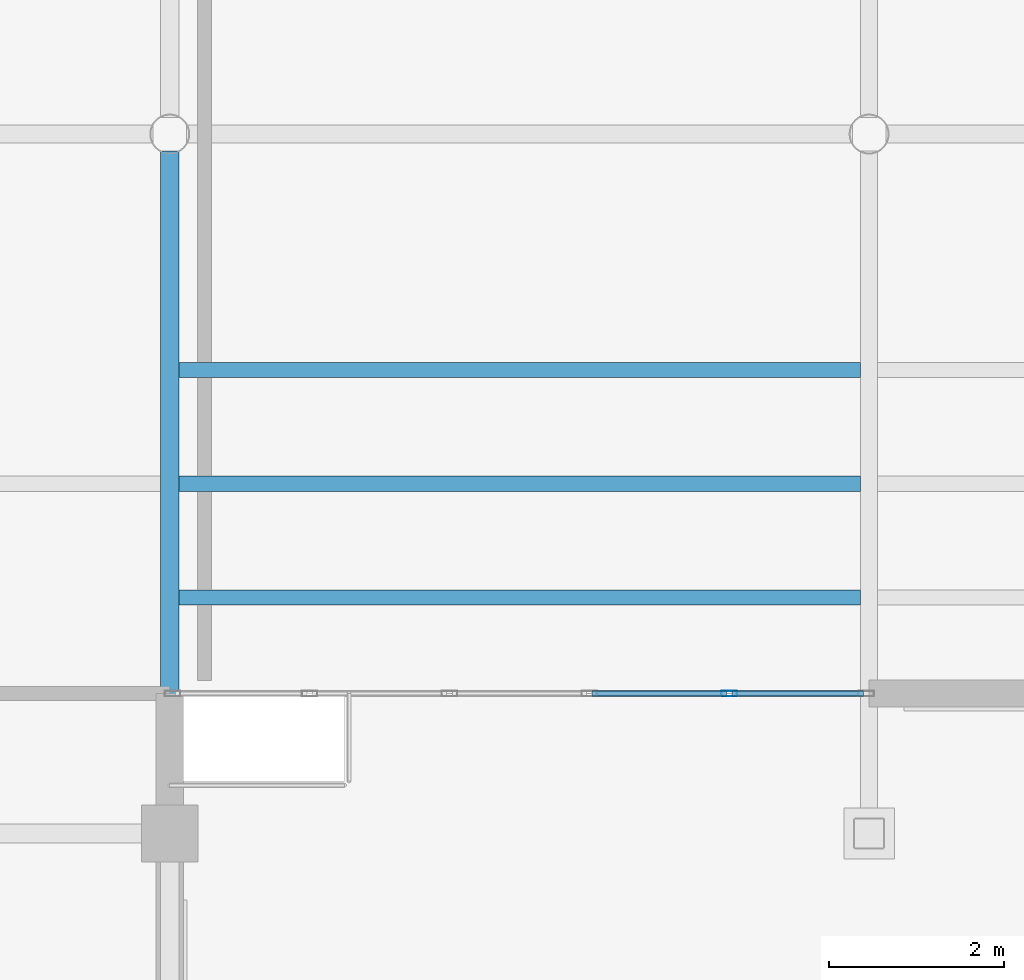
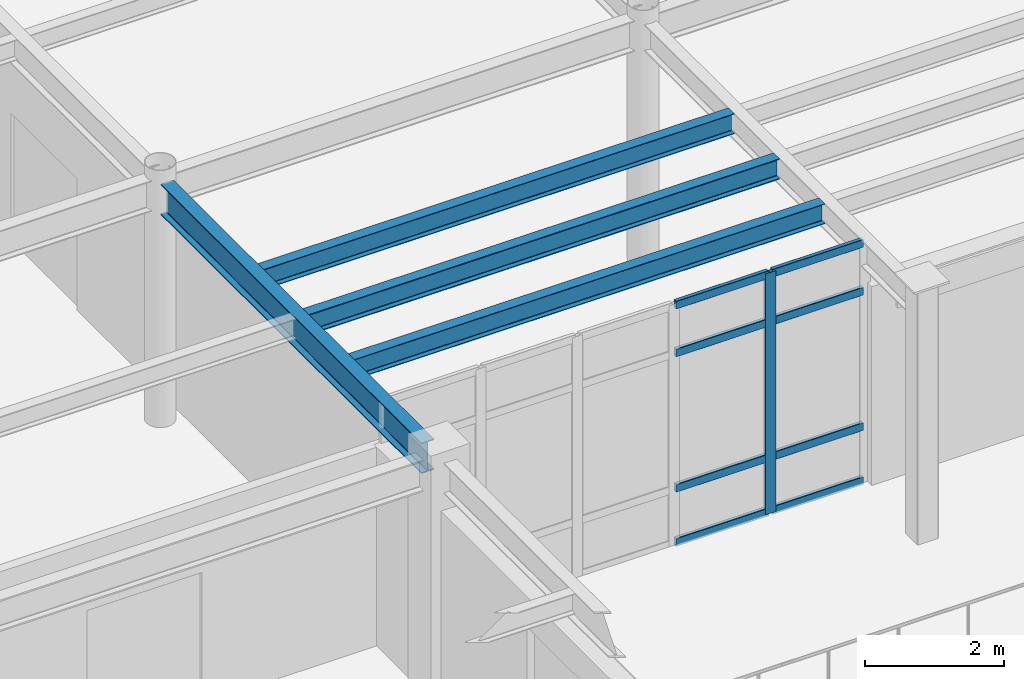
# One storey, part 49 of 111: 9 members, 4 beams, 1 element without a shape of its own.
"""IFC4 building model written with IfcOpenShell, lengths in metres."""

from ifc_helpers import new_model, si_unit, direction, frame, origin, origin_2d, place, context, subcontext, project, spatial, hollow_rectangle, i_section, extrude, material, material_profile, profile_set, type_object, element, aggregate, save


model = new_model("IFC4")

# Units and contexts
model_context = context("Model", 3, precision=1e-05, world=origin(), true_north=direction((0.0, 1.0)))
body_context = subcontext(model_context, "Body", "Model", "MODEL_VIEW")
ifc_project = project(units=[si_unit("LENGTHUNIT", "METRE"), si_unit("AREAUNIT", "SQUARE_METRE"), si_unit("VOLUMEUNIT", "CUBIC_METRE"), si_unit("PLANEANGLEUNIT", "RADIAN"), si_unit("MASSUNIT", "GRAM", prefix="KILO")], contexts=[model_context])

# Site, building, storey
site_placement = place(None, origin())
site = spatial("IfcSite", under=ifc_project, at=site_placement, CompositionType="ELEMENT")
building_placement = place(site_placement, origin())
building = spatial("IfcBuilding", under=site, at=building_placement, Name="Solmirada Galleria", CompositionType="ELEMENT")
storey_placement = place(building_placement, frame((0.0, 0.0, 10.39990234375)))
storey = spatial("IfcBuildingStorey", under=building, at=storey_placement, Name="L02", CompositionType="ELEMENT", Elevation=10.39990234375)

# Beams
ifc_material_1 = material(Name="Steel S355 / ASTM A992 Grade 50", Category="steel")
ifc_material_profile_1 = material_profile(ifc_material_1, i_section(OverallWidth=0.2099609375, OverallDepth=0.537109375, WebThickness=0.010986328125, FlangeThickness=0.017333984375, FilletRadius=0.014892578125, at=origin_2d()), Name="W21X68")
ifc_profile_set_1 = profile_set([ifc_material_profile_1], Name="Steel S355 / ASTM A992 Grade 50")
beam_type_1 = type_object("IfcBeamType", Name="BM-GIRD-W21B", PredefinedType="BEAM", material=ifc_profile_set_1)
beam_1_placement = place(storey_placement, frame((96.0, 80.324951171875, 3.99169921875), z_axis=(0.0, 1.0, 0.0), x_axis=(-1.0, 0.0, 0.0)))
element("IfcBeam", 1, at=beam_1_placement, inside=storey, type_object=beam_type_1, Name="Primary girder L03 Y(96, 80..88)", PredefinedType="BEAM", context=body_context, shape_type="SweptSolid", body=[
    extrude(i_section(OverallWidth=0.2099609375, OverallDepth=0.537109375, WebThickness=0.010986328125, FlangeThickness=0.017333984375, FilletRadius=0.014892578125, at=origin_2d()), origin(), (0.0, 0.0, 1.0), 7.483154296875),
])
ifc_material_profile_2 = material_profile(ifc_material_1, i_section(OverallWidth=0.172119140625, OverallDepth=0.35791015625, WebThickness=0.0078125, FlangeThickness=0.01318359375, FilletRadius=0.011962890625, at=origin_2d()), Name="W14X38")
ifc_profile_set_2 = profile_set([ifc_material_profile_2], Name="Steel S355 / ASTM A992 Grade 50")
beam_type_2 = type_object("IfcBeamType", Name="BM-JST-W14A", PredefinedType="JOIST", material=ifc_profile_set_2)
beam_2_placement = place(storey_placement, frame((96.10498046875, 84.0, 4.0810546875), z_axis=(1.0, 0.0, 0.0), x_axis=(0.0, 1.0, 0.0)))
element("IfcBeam", 2, at=beam_2_placement, inside=storey, type_object=beam_type_2, Name="Composite floor joist L03 (96..104, 84.0)", PredefinedType="JOIST", context=body_context, shape_type="SweptSolid", body=[
    extrude(i_section(OverallWidth=0.172119140625, OverallDepth=0.35791015625, WebThickness=0.0078125, FlangeThickness=0.01318359375, FilletRadius=0.011962890625, at=origin_2d()), origin(), (0.0, 0.0, 1.0), 7.798095703125),
])
ifc_material_profile_3 = material_profile(ifc_material_1, i_section(OverallWidth=0.1708984375, OverallDepth=0.35205078125, WebThickness=0.0068359375, FlangeThickness=0.009765625, FilletRadius=0.010986328125, at=origin_2d()), Name="W14X30")
ifc_profile_set_3 = profile_set([ifc_material_profile_3], Name="Steel S355 / ASTM A992 Grade 50")
beam_type_3 = type_object("IfcBeamType", Name="BM-JST-W14B", PredefinedType="JOIST", material=ifc_profile_set_3)
for number, where, z_axis, x_axis, name in (
    (3, (96.10498046875, 82.699951171875, 4.083984375), (1.0, 0.0, 0.0), (0.0, 1.0, 0.0), "Terrace deck joist L03-TERR-NE X=96..104 (1)"),
    (4, (96.10498046875, 85.300048828125, 4.083984375), (1.0, 0.0, 0.0), (0.0, 1.0, 0.0), "Terrace deck joist L03-TERR-NE X=96..104 (2)"),
):
    element("IfcBeam", number, at=place(storey_placement, frame(where, z_axis=z_axis, x_axis=x_axis)), inside=storey, type_object=beam_type_3, Name=name, PredefinedType="JOIST", context=body_context, shape_type="SweptSolid", body=[
        extrude(i_section(OverallWidth=0.1708984375, OverallDepth=0.35205078125, WebThickness=0.0068359375, FlangeThickness=0.009765625, FilletRadius=0.010986328125, at=origin_2d()), origin(), (0.0, 0.0, 1.0), 7.798095703125),
    ])

# Curtain wall, members
ifc_material_2 = material(Name="Impact-resistant low-E double glazing", Category="glass")
curtain_wall_type = type_object("IfcCurtainWallType", Name="CW-FZ4-L02-B5-L080", PredefinedType="NOTDEFINED", material=ifc_material_2)
curtain_wall_placement = place(storey_placement, origin())
curtain_wall = element("IfcCurtainWall", 5, at=curtain_wall_placement, inside=storey, type_object=curtain_wall_type, Name="Terrace and arcade storefront CW-L02-103", PredefinedType="NOTDEFINED")
ifc_material_3 = material(Name="Anodised aluminium framing", Category="aluminium")
ifc_material_profile_4 = material_profile(ifc_material_3, hollow_rectangle(XDim=0.06494140625, YDim=0.179931640625, WallThickness=0.00390625, InnerFilletRadius=0.00390625, OuterFilletRadius=0.008056640625, at=origin_2d()), Name="ALU-MULL-180X65")
ifc_profile_set_4 = profile_set([ifc_material_profile_4], Name="Anodised aluminium framing")
member_type_1 = type_object("IfcMemberType", Name="CW-MULL-180", PredefinedType="MULLION", material=ifc_profile_set_4)
member_1_placement = place(storey_placement, frame((102.39990234375, 81.60009765625, 0.0), z_axis=(0.0, 0.0, 1.0), x_axis=(0.0, -1.0, 0.0)))
member_1 = element("IfcMember", 6, at=member_1_placement, type_object=member_type_1, Name="CW22 mullion 2", PredefinedType="MULLION", context=body_context, shape_type="SweptSolid", body=[
    extrude(hollow_rectangle(XDim=0.06494140625, YDim=0.179931640625, WallThickness=0.00390625, InnerFilletRadius=0.00390625, OuterFilletRadius=0.008056640625, at=origin_2d()), origin(), (0.0, 0.0, 1.0), 4.22021484375),
])
ifc_material_profile_5 = material_profile(ifc_material_3, hollow_rectangle(XDim=0.06494140625, YDim=0.139892578125, WallThickness=0.00341796875, InnerFilletRadius=0.00341796875, OuterFilletRadius=0.007080078125, at=origin_2d()), Name="ALU-TRAN-140X65")
ifc_profile_set_5 = profile_set([ifc_material_profile_5], Name="Anodised aluminium framing")
member_type_2 = type_object("IfcMemberType", Name="CW-TRAN-140", PredefinedType="USERDEFINED", material=ifc_profile_set_5)
member_2_placement = place(storey_placement, frame((103.93505859375, 81.60009765625, 0.03271484375), z_axis=(-1.0, 0.0, 0.0), x_axis=(0.0, -1.0, 0.0)))
member_2 = element("IfcMember", 7, at=member_2_placement, type_object=member_type_2, Name="CW22 transom 1.1", ObjectType="TRANSOM", PredefinedType="USERDEFINED", context=body_context, shape_type="SweptSolid", body=[
    extrude(hollow_rectangle(XDim=0.06494140625, YDim=0.139892578125, WallThickness=0.00341796875, InnerFilletRadius=0.00341796875, OuterFilletRadius=0.007080078125, at=origin_2d()), origin(), (0.0, 0.0, 1.0), 1.50244140625),
])
member_3_placement = place(storey_placement, frame((103.93505859375, 81.60009765625, 0.97998046875), z_axis=(-1.0, 0.0, 0.0), x_axis=(0.0, -1.0, 0.0)))
member_3 = element("IfcMember", 8, at=member_3_placement, type_object=member_type_2, Name="CW22 transom 1.2", ObjectType="TRANSOM", PredefinedType="USERDEFINED", context=body_context, shape_type="SweptSolid", body=[
    extrude(hollow_rectangle(XDim=0.06494140625, YDim=0.139892578125, WallThickness=0.00341796875, InnerFilletRadius=0.00341796875, OuterFilletRadius=0.007080078125, at=origin_2d()), origin(), (0.0, 0.0, 1.0), 1.50244140625),
])
member_4_placement = place(storey_placement, frame((103.93505859375, 81.60009765625, 3.35009765625), z_axis=(-1.0, 0.0, 0.0), x_axis=(0.0, -1.0, 0.0)))
member_4 = element("IfcMember", 9, at=member_4_placement, type_object=member_type_2, Name="CW22 transom 1.3", ObjectType="TRANSOM", PredefinedType="USERDEFINED", context=body_context, shape_type="SweptSolid", body=[
    extrude(hollow_rectangle(XDim=0.06494140625, YDim=0.139892578125, WallThickness=0.00341796875, InnerFilletRadius=0.00341796875, OuterFilletRadius=0.007080078125, at=origin_2d()), origin(), (0.0, 0.0, 1.0), 1.50244140625),
])
member_5_placement = place(storey_placement, frame((103.93505859375, 81.60009765625, 4.1875), z_axis=(-1.0, 0.0, 0.0), x_axis=(0.0, -1.0, 0.0)))
member_5 = element("IfcMember", 10, at=member_5_placement, type_object=member_type_2, Name="CW22 transom 1.4", ObjectType="TRANSOM", PredefinedType="USERDEFINED", context=body_context, shape_type="SweptSolid", body=[
    extrude(hollow_rectangle(XDim=0.06494140625, YDim=0.139892578125, WallThickness=0.00341796875, InnerFilletRadius=0.00341796875, OuterFilletRadius=0.007080078125, at=origin_2d()), origin(), (0.0, 0.0, 1.0), 1.50244140625),
])
member_6_placement = place(storey_placement, frame((102.367431640625, 81.60009765625, 0.03271484375), z_axis=(-1.0, 0.0, 0.0), x_axis=(0.0, -1.0, 0.0)))
member_6 = element("IfcMember", 11, at=member_6_placement, type_object=member_type_2, Name="CW22 transom 2.1", ObjectType="TRANSOM", PredefinedType="USERDEFINED", context=body_context, shape_type="SweptSolid", body=[
    extrude(hollow_rectangle(XDim=0.06494140625, YDim=0.139892578125, WallThickness=0.00341796875, InnerFilletRadius=0.00341796875, OuterFilletRadius=0.007080078125, at=origin_2d()), origin(), (0.0, 0.0, 1.0), 1.534912109375),
])
member_7_placement = place(storey_placement, frame((102.367431640625, 81.60009765625, 0.97998046875), z_axis=(-1.0, 0.0, 0.0), x_axis=(0.0, -1.0, 0.0)))
member_7 = element("IfcMember", 12, at=member_7_placement, type_object=member_type_2, Name="CW22 transom 2.2", ObjectType="TRANSOM", PredefinedType="USERDEFINED", context=body_context, shape_type="SweptSolid", body=[
    extrude(hollow_rectangle(XDim=0.06494140625, YDim=0.139892578125, WallThickness=0.00341796875, InnerFilletRadius=0.00341796875, OuterFilletRadius=0.007080078125, at=origin_2d()), origin(), (0.0, 0.0, 1.0), 1.534912109375),
])
member_8_placement = place(storey_placement, frame((102.367431640625, 81.60009765625, 3.35009765625), z_axis=(-1.0, 0.0, 0.0), x_axis=(0.0, -1.0, 0.0)))
member_8 = element("IfcMember", 13, at=member_8_placement, type_object=member_type_2, Name="CW22 transom 2.3", ObjectType="TRANSOM", PredefinedType="USERDEFINED", context=body_context, shape_type="SweptSolid", body=[
    extrude(hollow_rectangle(XDim=0.06494140625, YDim=0.139892578125, WallThickness=0.00341796875, InnerFilletRadius=0.00341796875, OuterFilletRadius=0.007080078125, at=origin_2d()), origin(), (0.0, 0.0, 1.0), 1.534912109375),
])
member_9_placement = place(storey_placement, frame((102.367431640625, 81.60009765625, 4.1875), z_axis=(-1.0, 0.0, 0.0), x_axis=(0.0, -1.0, 0.0)))
member_9 = element("IfcMember", 14, at=member_9_placement, type_object=member_type_2, Name="CW22 transom 2.4", ObjectType="TRANSOM", PredefinedType="USERDEFINED", context=body_context, shape_type="SweptSolid", body=[
    extrude(hollow_rectangle(XDim=0.06494140625, YDim=0.139892578125, WallThickness=0.00341796875, InnerFilletRadius=0.00341796875, OuterFilletRadius=0.007080078125, at=origin_2d()), origin(), (0.0, 0.0, 1.0), 1.534912109375),
])
aggregate(curtain_wall, [member_1, member_2, member_3, member_4, member_5, member_6, member_7, member_8, member_9])

save(model, "model.ifc")
